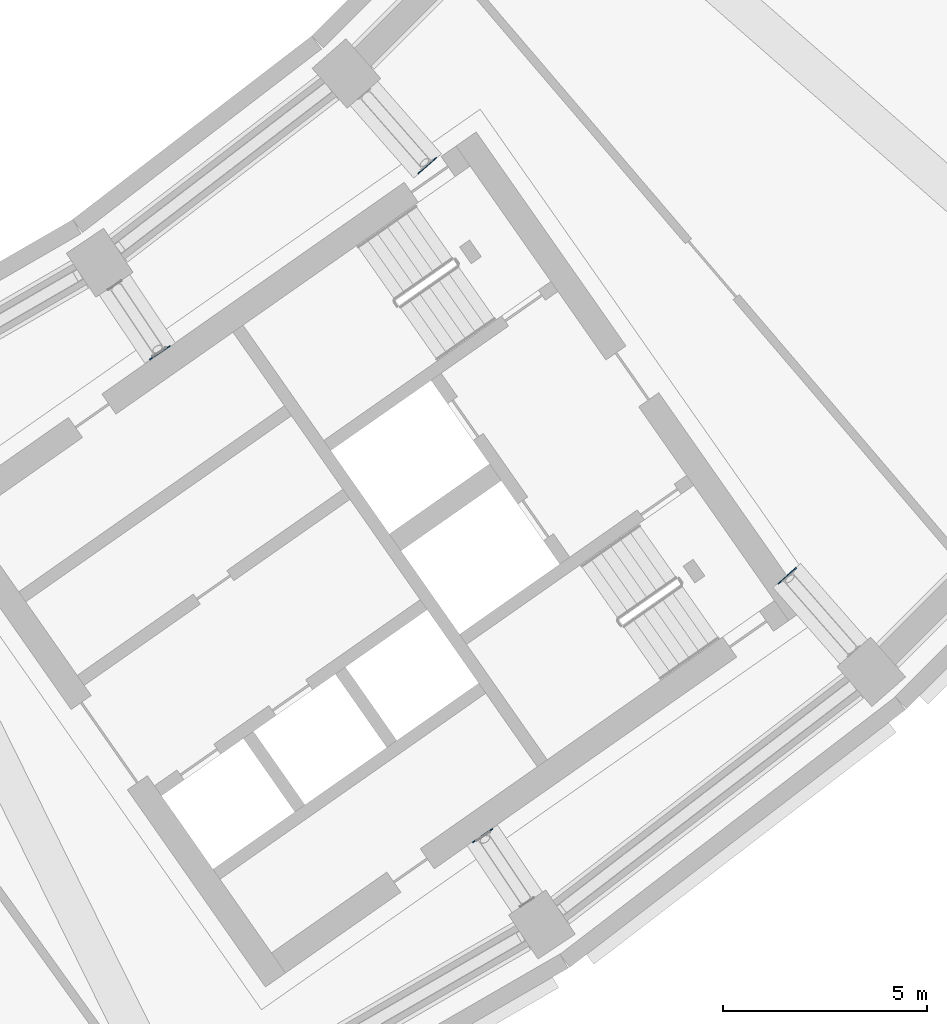
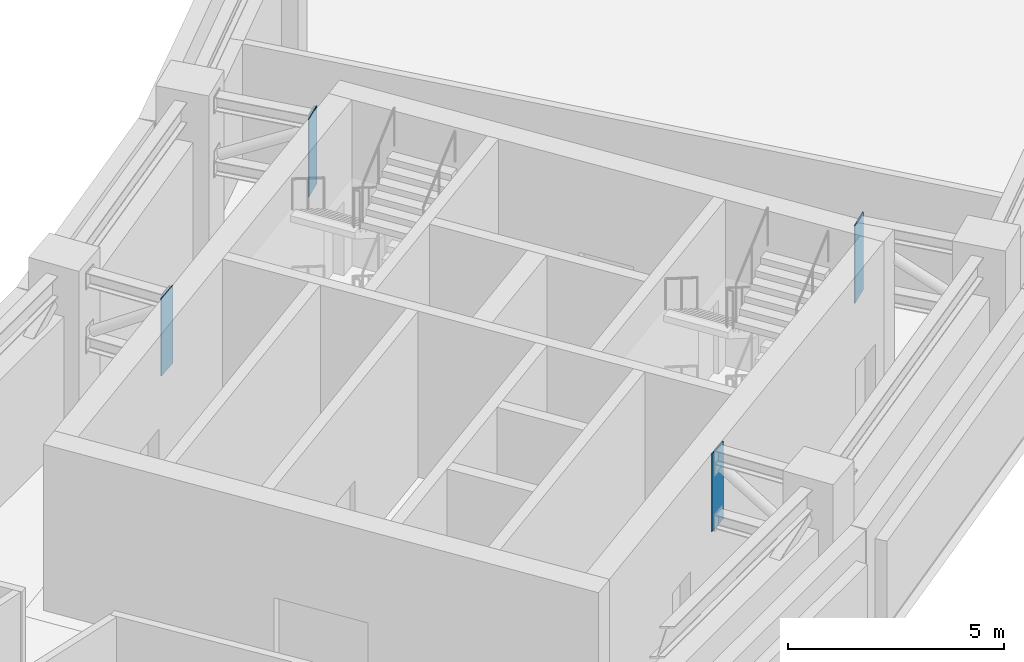
# One storey, part 10 of 24: 4 discrete accessories.
"""IFC4 building model written with IfcOpenShell, lengths in metres."""

from ifc_helpers import new_model, si_unit, direction, frame, origin, origin_2d, place, context, subcontext, project, spatial, rectangle, extrude, material, layer, layer_set, type_object, element, save


model = new_model("IFC4")

# Units and contexts
model_context = context("Model", 3, precision=1e-05, world=origin(), true_north=direction((0.0, 1.0)))
body_context = subcontext(model_context, "Body", "Model", "MODEL_VIEW")
ifc_project = project(units=[si_unit("LENGTHUNIT", "METRE"), si_unit("AREAUNIT", "SQUARE_METRE"), si_unit("VOLUMEUNIT", "CUBIC_METRE"), si_unit("PLANEANGLEUNIT", "RADIAN"), si_unit("MASSUNIT", "GRAM", prefix="KILO")], contexts=[model_context])

# Site, building, storey
site_placement = place(None, origin())
site = spatial("IfcSite", under=ifc_project, at=site_placement, CompositionType="ELEMENT")
building_placement = place(site_placement, origin())
building = spatial("IfcBuilding", under=site, at=building_placement, Name="Qamariyya Broadcast Tower", CompositionType="ELEMENT")
storey_placement = place(building_placement, frame((0.0, 0.0, 198.699951171875)))
storey = spatial("IfcBuildingStorey", under=building, at=storey_placement, Name="L47", CompositionType="ELEMENT", Elevation=198.699951171875)

# Discrete accessories
ifc_material = material(Name="Steel S355", Category="steel")
ifc_layer = layer(ifc_material, 0.02490234375)
ifc_layer_set = layer_set([ifc_layer], Name="Cast-in plate 25 Steel S355")
discrete_accessory_type = type_object("IfcDiscreteAccessoryType", Name="Cast-in plate 25 Steel S355", PredefinedType="ANCHORPLATE", material=ifc_layer_set)
for number, where, z_axis, x_axis, name in (
    (1, (33.83544921875, -50.63818359375, 2.5), (0.0, 0.0, 1.0), (-0.831469612303, -0.55557023302, 0.0), "Cast-in plate CP1 L47 R15"),
    (2, (41.740234375, -62.468505859375, 2.5), (0.0, 0.0, 1.0), (-0.831469612303, -0.55557023302, 0.0), "Cast-in plate CP1 L47 R15"),
    (3, (40.385986328125, -46.051513671875, 2.5), (0.0, 0.0, 1.0), (-0.751839807479, -0.6593458151, 0.0), "Cast-in plate CP1 L47 R16"),
    (4, (49.20263671875, -56.10498046875, 2.5), (0.0, 0.0, 1.0), (-0.751839807479, -0.6593458151, 0.0), "Cast-in plate CP1 L47 R16"),
):
    element("IfcDiscreteAccessory", number, at=place(storey_placement, frame(where, z_axis=z_axis, x_axis=x_axis)), inside=storey, type_object=discrete_accessory_type, Name=name, PredefinedType="ANCHORPLATE", context=body_context, shape_type="SweptSolid", body=[
        extrude(rectangle(XDim=0.60009765625, YDim=0.02490234375, at=origin_2d()), origin(), (0.0, 0.0, 1.0), 2.199951171875),
    ])

save(model, "model.ifc")
